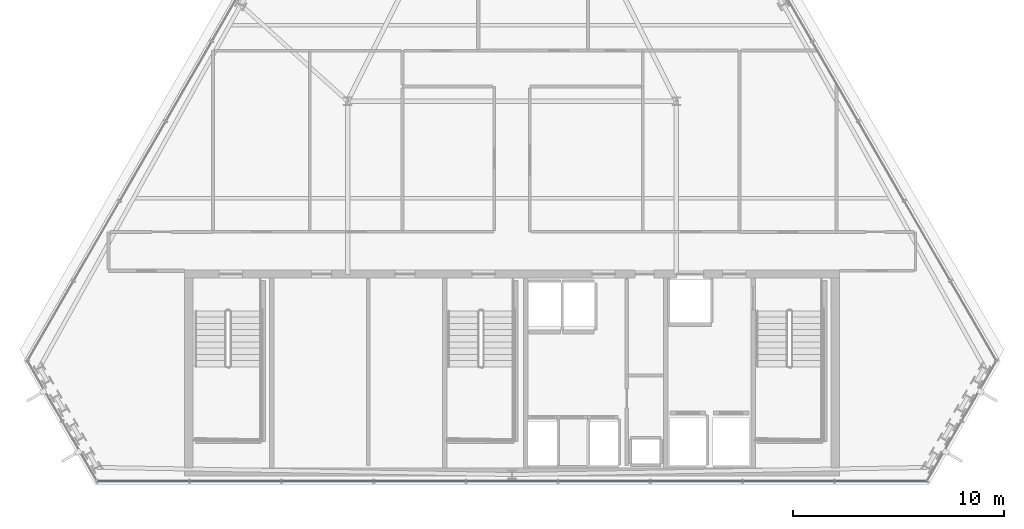
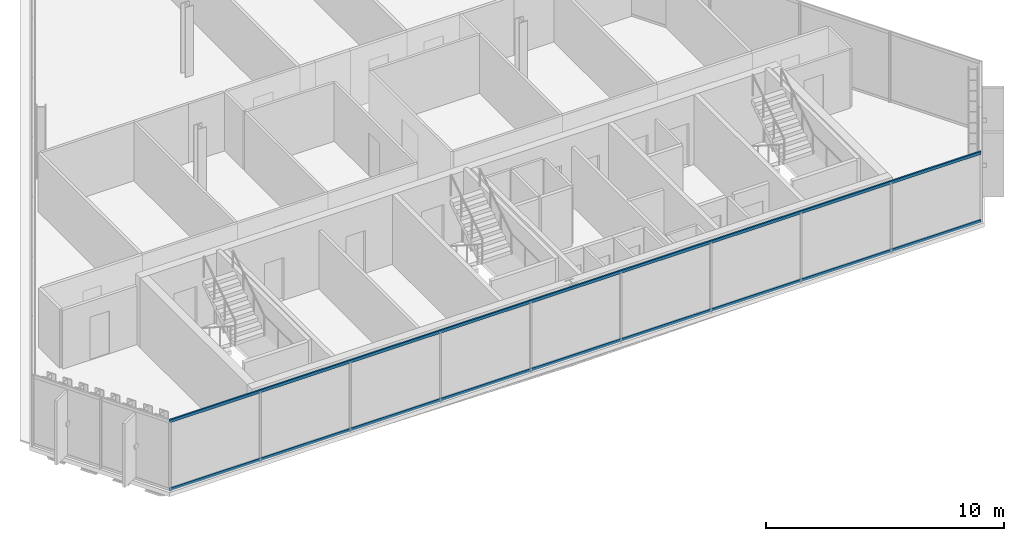
# One storey, part 7 of 29: 2 members, 1 element without a shape of its own.
"""IFC4 building model written with IfcOpenShell, lengths in metres."""

from ifc_helpers import new_model, si_unit, direction, frame, origin, origin_2d, place, context, subcontext, project, spatial, hollow_rectangle, extrude, material, layer, layer_set, material_profile, profile_set, type_object, element, aggregate, save


model = new_model("IFC4")

# Units and contexts
model_context = context("Model", 3, precision=1e-05, world=origin(), true_north=direction((0.0, 1.0)))
body_context = subcontext(model_context, "Body", "Model", "MODEL_VIEW")
ifc_project = project(units=[si_unit("LENGTHUNIT", "METRE"), si_unit("AREAUNIT", "SQUARE_METRE"), si_unit("VOLUMEUNIT", "CUBIC_METRE"), si_unit("PLANEANGLEUNIT", "RADIAN"), si_unit("MASSUNIT", "GRAM", prefix="KILO")], contexts=[model_context])

# Site, building, storey
site_placement = place(None, origin())
site = spatial("IfcSite", under=ifc_project, at=site_placement, CompositionType="ELEMENT")
building_placement = place(site_placement, origin())
building = spatial("IfcBuilding", under=site, at=building_placement, Name="Ndaravel Arena Tower", CompositionType="ELEMENT")
storey_placement = place(building_placement, frame((0.0, 0.0, 240.800048828125)))
storey = spatial("IfcBuildingStorey", under=building, at=storey_placement, Name="L58", CompositionType="ELEMENT", Elevation=240.800048828125)

# Curtain wall, members
ifc_material_1 = material(Name="Aluminium", Category="aluminium")
ifc_layer = layer(ifc_material_1, 0.179931640625)
ifc_layer_set = layer_set([ifc_layer], Name="Aluminium")
curtain_wall_type = type_object("IfcCurtainWallType", Name="CW-SYS-03", PredefinedType="NOTDEFINED", material=ifc_layer_set)
curtain_wall_placement = place(storey_placement, origin())
curtain_wall = element("IfcCurtainWall", 1, at=curtain_wall_placement, inside=storey, type_object=curtain_wall_type, Name="L58 Faceted Crystal Curtain Wall CW-L58-E01", PredefinedType="NOTDEFINED")
ifc_material_2 = material(Name="Aluminium", Category="aluminium")
ifc_material_profile = material_profile(ifc_material_2, hollow_rectangle(XDim=0.074951171875, YDim=0.14990234375, WallThickness=0.00390625, at=origin_2d()), Name="CW TRANSOM 75x150x4")
ifc_profile_set = profile_set([ifc_material_profile], Name="Aluminium")
member_type = type_object("IfcMemberType", Name="MEM-CW-TRN150", PredefinedType="USERDEFINED", material=ifc_profile_set)
member_1_placement = place(storey_placement, frame((22.30810546875, 5.159912109375, 0.0400390625), z_axis=(1.0, 0.0, 0.0), x_axis=(0.0, 1.0, 0.0)))
member_1 = element("IfcMember", 2, at=member_1_placement, type_object=member_type, Name="CW-L58-E01 Transom 01", ObjectType="TRANSOM", PredefinedType="USERDEFINED", context=body_context, shape_type="SweptSolid", body=[
    extrude(hollow_rectangle(XDim=0.074951171875, YDim=0.14990234375, WallThickness=0.00390625, at=origin_2d()), origin(), (0.0, 0.0, 1.0), 39.3837890625),
])
member_2_placement = place(storey_placement, frame((22.30810546875, 5.159912109375, 3.5400390625), z_axis=(1.0, 0.0, 0.0), x_axis=(0.0, 1.0, 0.0)))
member_2 = element("IfcMember", 3, at=member_2_placement, type_object=member_type, Name="CW-L58-E01 Transom 02", ObjectType="TRANSOM", PredefinedType="USERDEFINED", context=body_context, shape_type="SweptSolid", body=[
    extrude(hollow_rectangle(XDim=0.074951171875, YDim=0.14990234375, WallThickness=0.00390625, at=origin_2d()), origin(), (0.0, 0.0, 1.0), 39.3837890625),
])
aggregate(curtain_wall, [member_1, member_2])

save(model, "model.ifc")
